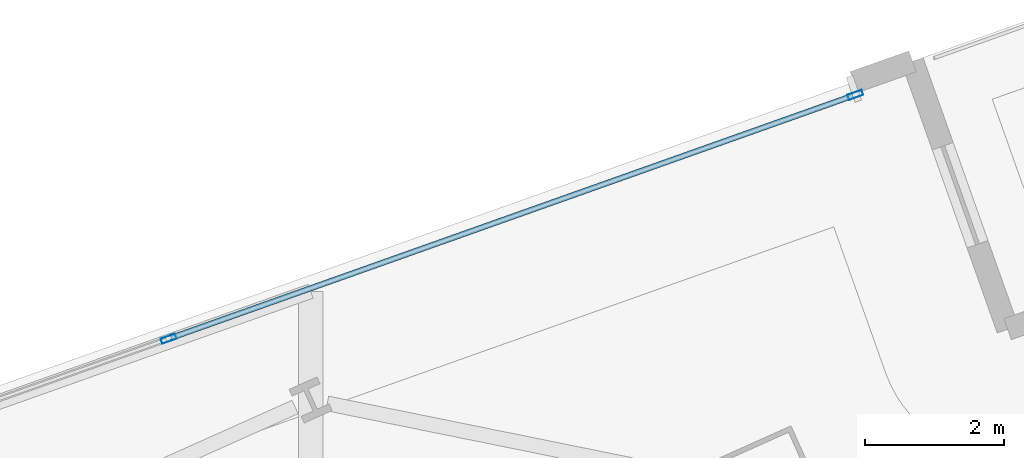
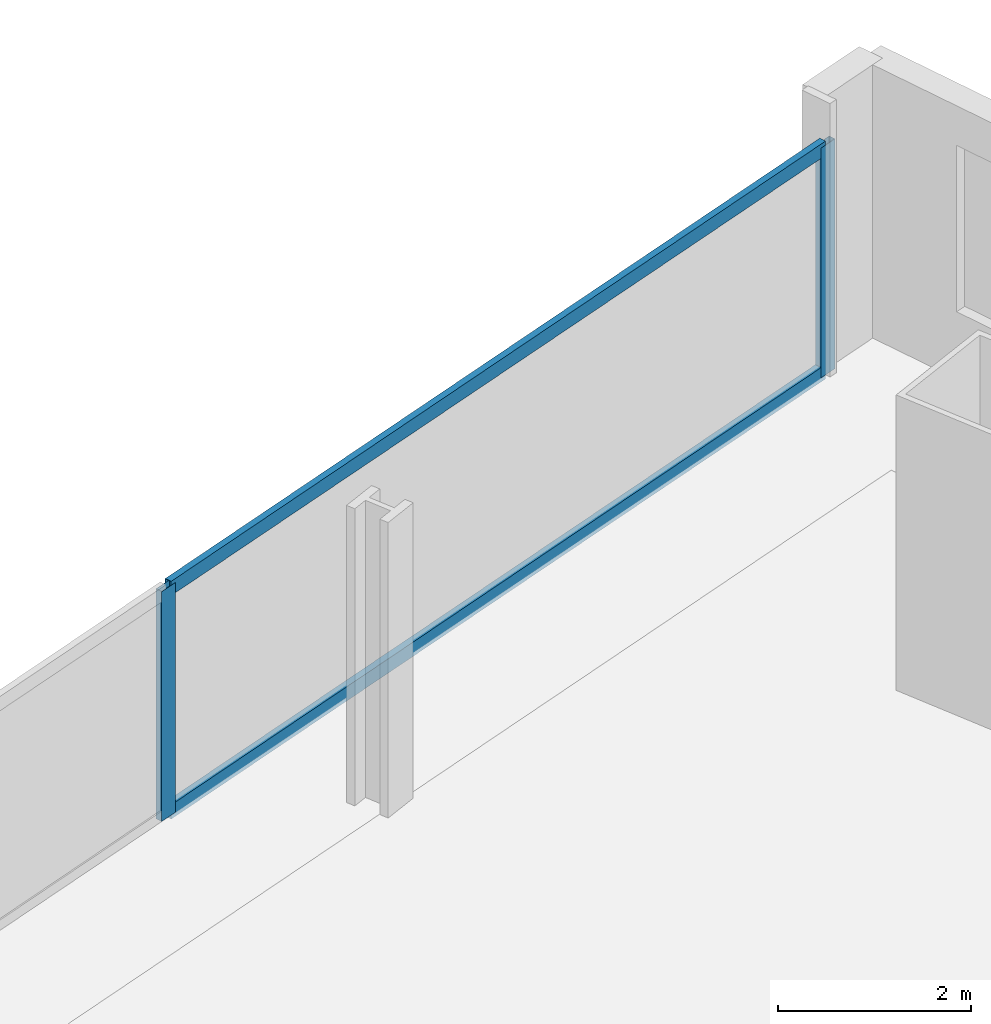
# One storey, part 22 of 33: 4 members, 1 element without a shape of its own.
"""IFC4 building model written with IfcOpenShell, lengths in metres."""

from ifc_helpers import new_model, si_unit, direction, frame, origin, origin_2d, place, context, subcontext, project, spatial, hollow_rectangle, extrude, material, material_profile, profile_set, type_object, element, aggregate, save


model = new_model("IFC4")

# Units and contexts
model_context = context("Model", 3, precision=1e-05, world=origin(), true_north=direction((0.0, 1.0)))
body_context = subcontext(model_context, "Body", "Model", "MODEL_VIEW")
ifc_project = project(units=[si_unit("LENGTHUNIT", "METRE"), si_unit("AREAUNIT", "SQUARE_METRE"), si_unit("VOLUMEUNIT", "CUBIC_METRE"), si_unit("PLANEANGLEUNIT", "RADIAN"), si_unit("MASSUNIT", "GRAM", prefix="KILO")], contexts=[model_context])

# Site, building, storey
site_placement = place(None, origin())
site = spatial("IfcSite", under=ifc_project, at=site_placement, CompositionType="ELEMENT")
building_placement = place(site_placement, origin())
building = spatial("IfcBuilding", under=site, at=building_placement, Name="Haldenkirk Collegiate Tower", CompositionType="ELEMENT")
storey_placement = place(building_placement, frame((0.0, 0.0, 94.199951171875)))
storey = spatial("IfcBuildingStorey", under=building, at=storey_placement, Name="L22", CompositionType="ELEMENT", Elevation=94.199951171875)

# Curtain wall, members
ifc_material = material(Name="Anodised architectural bronze aluminium", Category="aluminium")
curtain_wall_type = type_object("IfcCurtainWallType", Name="CW-SYS1-CONVEX-LOW", PredefinedType="USERDEFINED", material=ifc_material)
curtain_wall_placement = place(storey_placement, origin())
curtain_wall = element("IfcCurtainWall", 1, at=curtain_wall_placement, inside=storey, type_object=curtain_wall_type, Name="L22 Lower tower convex bronze-framed unitised curtain wall", ObjectType="UNITISED CURTAIN WALL", PredefinedType="USERDEFINED")
ifc_material_profile_1 = material_profile(ifc_material, hollow_rectangle(XDim=0.080078125, YDim=0.219970703125, WallThickness=0.0048828125, at=origin_2d()), Name="CW-MUL-1A")
ifc_profile_set_1 = profile_set([ifc_material_profile_1], Name="Anodised architectural bronze aluminium")
member_type_1 = type_object("IfcMemberType", Name="CW-MUL-1A", PredefinedType="MULLION", material=ifc_profile_set_1)
member_1_placement = place(storey_placement, frame((37.669677734375, 52.8251953125, 0.0), z_axis=(0.0, 0.0, 1.0), x_axis=(-0.334627839055, 0.942350364424, 0.0)))
member_1 = element("IfcMember", 2, at=member_1_placement, type_object=member_type_1, Name="CW-1A mullion 4", PredefinedType="MULLION", context=body_context, shape_type="SweptSolid", body=[
    extrude(hollow_rectangle(XDim=0.080078125, YDim=0.219970703125, WallThickness=0.0048828125, at=origin_2d()), origin(), (0.0, 0.0, 1.0), 2.901123046875),
])
member_2_placement = place(storey_placement, frame((47.57373046875, 56.34228515625, 0.0), z_axis=(0.0, 0.0, 1.0), x_axis=(-0.334627839055, 0.942350364424, 0.0)))
member_2 = element("IfcMember", 3, at=member_2_placement, type_object=member_type_1, Name="CW-1A mullion 5", PredefinedType="MULLION", context=body_context, shape_type="SweptSolid", body=[
    extrude(hollow_rectangle(XDim=0.080078125, YDim=0.219970703125, WallThickness=0.0048828125, at=origin_2d()), origin(), (0.0, 0.0, 1.0), 2.901123046875),
])
ifc_material_profile_2 = material_profile(ifc_material, hollow_rectangle(XDim=0.080078125, YDim=0.179931640625, WallThickness=0.0048828125, at=origin_2d()), Name="CW-TRN-1A")
ifc_profile_set_2 = profile_set([ifc_material_profile_2], Name="Anodised architectural bronze aluminium")
member_type_2 = type_object("IfcMemberType", Name="CW-TRN-1A", PredefinedType="USERDEFINED", material=ifc_profile_set_2)
member_3_placement = place(storey_placement, frame((37.707275390625, 52.838623046875, 0.0400390625), z_axis=(0.942349905135, 0.334629132462, 0.0), x_axis=(-0.334629132462, 0.942349905135, 0.0)))
member_3 = element("IfcMember", 4, at=member_3_placement, type_object=member_type_2, Name="CW-1A transom 4.1", ObjectType="TRANSOM", PredefinedType="USERDEFINED", context=body_context, shape_type="SweptSolid", body=[
    extrude(hollow_rectangle(XDim=0.080078125, YDim=0.179931640625, WallThickness=0.0048828125, at=origin_2d()), origin(), (0.0, 0.0, 1.0), 10.43017578125),
])
member_4_placement = place(storey_placement, frame((37.707275390625, 52.838623046875, 2.861083984375), z_axis=(0.942349905135, 0.334629132462, 0.0), x_axis=(-0.334629132462, 0.942349905135, 0.0)))
member_4 = element("IfcMember", 5, at=member_4_placement, type_object=member_type_2, Name="CW-1A transom 4.2", ObjectType="TRANSOM", PredefinedType="USERDEFINED", context=body_context, shape_type="SweptSolid", body=[
    extrude(hollow_rectangle(XDim=0.080078125, YDim=0.179931640625, WallThickness=0.0048828125, at=origin_2d()), origin(), (0.0, 0.0, 1.0), 10.43017578125),
])
aggregate(curtain_wall, [member_1, member_2, member_3, member_4])

save(model, "model.ifc")
